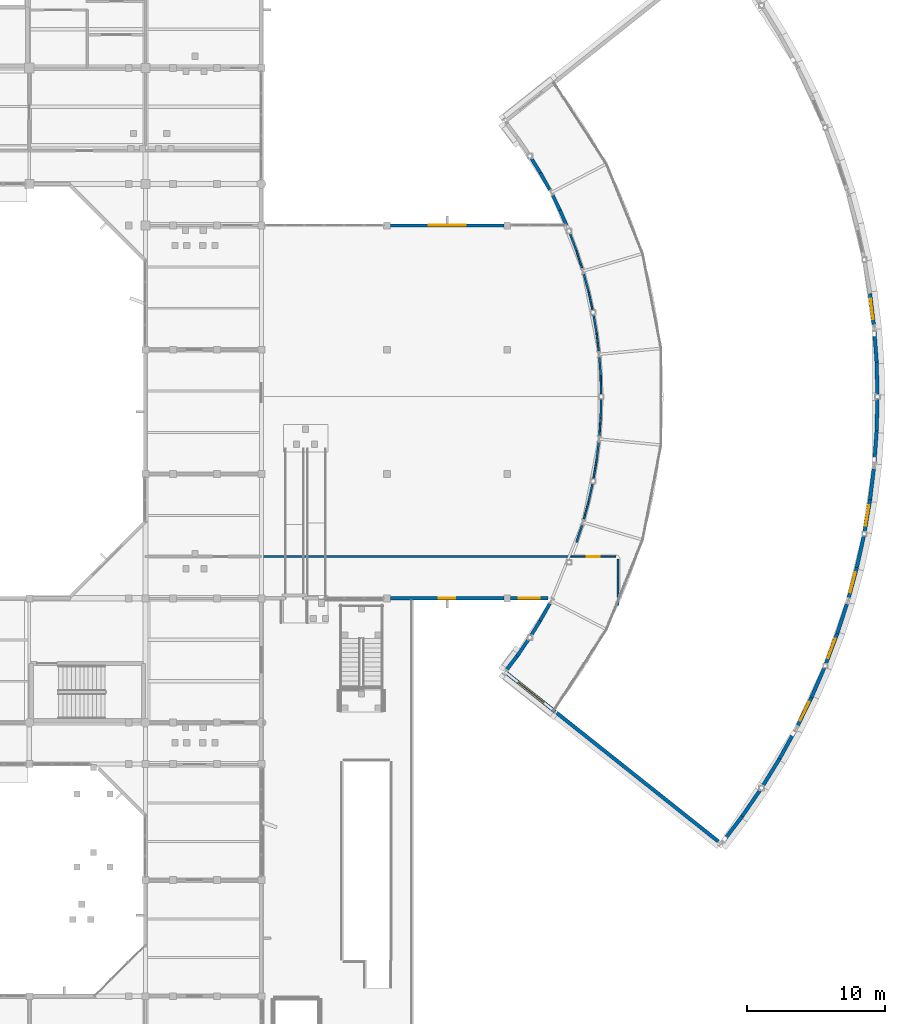
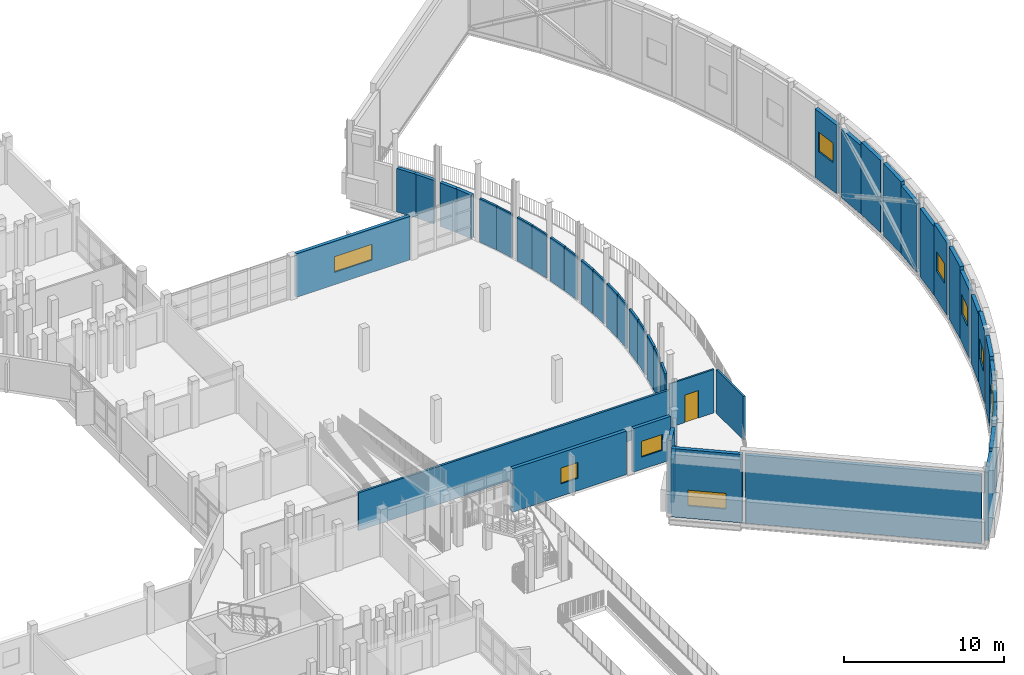
# One storey, part 72 of 104: 48 walls, 9 windows, 1 door, 10 openings.
"""IFC4 building model written with IfcOpenShell, lengths in metres."""

from ifc_helpers import new_model, si_unit, direction, frame, frame_2d, origin, place, context, subcontext, project, spatial, rectangle, extrude, material, layer, layer_set, type_object, element, fill, save


model = new_model("IFC4")

# Units and contexts
model_context = context("Model", 3, precision=1e-05, world=origin(), true_north=direction((0.0, 1.0)))
body_context = subcontext(model_context, "Body", "Model", "MODEL_VIEW")
ifc_project = project(units=[si_unit("LENGTHUNIT", "METRE"), si_unit("AREAUNIT", "SQUARE_METRE"), si_unit("VOLUMEUNIT", "CUBIC_METRE"), si_unit("PLANEANGLEUNIT", "RADIAN"), si_unit("MASSUNIT", "GRAM", prefix="KILO")], contexts=[model_context])

# Site, building, storey
site_placement = place(None, origin())
site = spatial("IfcSite", under=ifc_project, at=site_placement, CompositionType="ELEMENT")
building_placement = place(site_placement, origin())
building = spatial("IfcBuilding", under=site, at=building_placement, Name="Vanh Quang Courtyard School", CompositionType="ELEMENT")
storey_placement = place(building_placement, frame((0.0, 0.0, 4.199951171875)))
storey = spatial("IfcBuildingStorey", under=building, at=storey_placement, Name="L01", CompositionType="ELEMENT", Elevation=4.199951171875)

# Wall, opening, window
ifc_material_1 = material(Name="Precast concrete C40/50", Category="concrete")
ifc_layer_1 = layer(ifc_material_1, 0.239990234375)
ifc_layer_set_1 = layer_set([ifc_layer_1], Name="Precast concrete C40/50")
wall_type_1 = type_object("IfcWallType", Name="W-EXT-240", PredefinedType="SOLIDWALL", material=ifc_layer_set_1)
wall_1_placement = place(storey_placement, frame((128.748046875, 68.39990234375, 0.0), z_axis=(0.0, 0.0, 1.0), x_axis=(1.0, 0.0, 0.0)))
wall_1 = element("IfcWall", 1, at=wall_1_placement, inside=storey, type_object=wall_type_1, Name="Wall WE-03 (L01)", PredefinedType="SOLIDWALL", context=body_context, shape_type="SweptSolid", body=[
    extrude(rectangle(XDim=8.203857421875, YDim=0.239990234375, at=frame_2d((4.10205078125, 0.0))), origin(), (0.0, 0.0, 1.0), 3.320068359375),
])
opening_1_placement = place(wall_1_placement, frame((2.751953125, 0.0, 0.949951171875)))
opening_1 = element("IfcOpeningElement", 2, at=opening_1_placement, cuts=wall_1, Name="Opening WN-06", PredefinedType="OPENING", context=body_context, shape_type="SweptSolid", body=[
    extrude(rectangle(XDim=2.699951171875, YDim=1.199951171875, at=frame_2d((1.35009765625, 0.60009765625))), frame((0.0, 0.1298828125, 0.0), z_axis=(0.0, -1.0, 0.0), x_axis=(1.0, 0.0, 0.0)), (0.0, 0.0, 1.0), 0.260009765625),
])
ifc_material_2 = material(Name="Anodised aluminium and low-E double glazing", Category="aluminium")
window_type_1 = type_object("IfcWindowType", Name="WIN-TYP-06", PartitioningType="SINGLE_PANEL", PredefinedType="WINDOW", material=ifc_material_2)
window_1_placement = place(opening_1_placement, origin())
window_1 = element("IfcWindow", 3, at=window_1_placement, inside=storey, type_object=window_type_1, Name="Window WN-06 (L01)", OverallHeight=1.199951171875, OverallWidth=2.699951171875, PartitioningType="SINGLE_PANEL", PredefinedType="WINDOW", context=body_context, shape_type="SweptSolid", body=[
    extrude(rectangle(XDim=2.699951171875, YDim=1.199951171875, at=frame_2d((1.35009765625, 0.60009765625))), frame((0.0, 0.030029296875, 0.0), z_axis=(0.0, -1.0, 0.0), x_axis=(1.0, 0.0, 0.0)), (0.0, 0.0, 1.0), 0.06005859375),
])
fill(opening_1, window_1)

# Walls
wall_2_placement = place(storey_placement, frame((141.49169921875, 68.39990234375, 0.0), z_axis=(0.0, 0.0, 1.0), x_axis=(-0.396823605791, 0.917894888256, 0.0)))
element("IfcWall", 4, at=wall_2_placement, inside=storey, type_object=wall_type_1, Name="Wall WE-03 (L01)", PredefinedType="SOLIDWALL", context=body_context, shape_type="SweptSolid", body=[
    extrude(rectangle(XDim=1.20654296875, YDim=0.239990234375, at=frame_2d((0.603271484375, 0.0))), origin(), (0.0, 0.0, 1.0), 3.320068359375),
])
for number, where, z_axis, x_axis, name in (
    (5, (141.11328125, 69.289306640625, 0.0), (0.0, 0.0, 1.0), (-0.440367841155, 0.897817444961, 0.0), "Wall WE-03 (L01)"),
    (6, (140.27490234375, 70.974365234375, 0.0), (0.0, 0.0, 1.0), (-0.482928309872, 0.875659892609, 0.0), "Wall WE-03 (L01)"),
):
    element("IfcWall", number, at=place(storey_placement, frame(where, z_axis=z_axis, x_axis=x_axis)), inside=storey, type_object=wall_type_1, Name=name, PredefinedType="SOLIDWALL", context=body_context, shape_type="SweptSolid", body=[
        extrude(rectangle(XDim=1.42919921875, YDim=0.239990234375, at=frame_2d((0.714599609375, 0.0))), origin(), (0.0, 0.0, 1.0), 3.320068359375),
    ])
for number, where, z_axis, x_axis, name in (
    (7, (139.70556640625, 72.0185546875, 0.0), (0.0, 0.0, 1.0), (-0.524263090117, 0.851556347132, 0.0), "Wall WE-03 (L01)"),
    (8, (137.902587890625, 37.205078125, 0.0), (0.0, 0.0, 1.0), (0.56467208792, 0.825315353743, 0.0), "Wall WE-03 (L01)"),
    (9, (138.9296875, 38.72119140625, 0.0), (0.0, 0.0, 1.0), (0.524263090117, 0.851556347132, 0.0), "Wall WE-03 (L01)"),
):
    element("IfcWall", number, at=place(storey_placement, frame(where, z_axis=z_axis, x_axis=x_axis)), inside=storey, type_object=wall_type_1, Name=name, PredefinedType="SOLIDWALL", context=body_context, shape_type="SweptSolid", body=[
        extrude(rectangle(XDim=1.47998046875, YDim=0.239990234375, at=frame_2d((0.739990234375, 0.0))), origin(), (0.0, 0.0, 1.0), 3.320068359375),
    ])
wall_3_placement = place(storey_placement, frame((139.584716796875, 39.774169921875, 0.0), z_axis=(0.0, 0.0, 1.0), x_axis=(0.482928309872, 0.875659892609, 0.0)))
element("IfcWall", 10, at=wall_3_placement, inside=storey, type_object=wall_type_1, Name="Wall WE-03 (L01)", PredefinedType="SOLIDWALL", context=body_context, shape_type="SweptSolid", body=[
    extrude(rectangle(XDim=1.42919921875, YDim=0.239990234375, at=frame_2d((0.714599609375, 0.0))), origin(), (0.0, 0.0, 1.0), 3.320068359375),
])

# Wall, opening, window
wall_4_placement = place(storey_placement, frame((140.1494140625, 41.39990234375, 0.0), z_axis=(0.0, 0.0, 1.0), x_axis=(-1.0, 0.0, 0.0)))
wall_4 = element("IfcWall", 11, at=wall_4_placement, inside=storey, type_object=wall_type_1, Name="Wall WE-03 (L01)", PredefinedType="SOLIDWALL", context=body_context, shape_type="SweptSolid", body=[
    extrude(rectangle(XDim=2.701416015625, YDim=0.239990234375, at=frame_2d((1.3505859375, 0.0))), origin(), (0.0, 0.0, 1.0), 3.320068359375),
])
opening_2_placement = place(wall_4_placement, frame((0.6005859375, 0.0, 0.949951171875)))
opening_2 = element("IfcOpeningElement", 12, at=opening_2_placement, cuts=wall_4, Name="Opening WN-02", PredefinedType="OPENING", context=body_context, shape_type="SweptSolid", body=[
    extrude(rectangle(XDim=1.5, YDim=1.199951171875, at=frame_2d((0.75, 0.60009765625))), frame((0.0, 0.1298828125, 0.0), z_axis=(0.0, -1.0, 0.0), x_axis=(1.0, 0.0, 0.0)), (0.0, 0.0, 1.0), 0.260009765625),
])
window_type_2 = type_object("IfcWindowType", Name="WIN-TYP-02", PartitioningType="SINGLE_PANEL", PredefinedType="WINDOW", material=ifc_material_2)
window_2_placement = place(opening_2_placement, origin())
window_2 = element("IfcWindow", 13, at=window_2_placement, inside=storey, type_object=window_type_2, Name="Window WN-02 (L01)", OverallHeight=1.199951171875, OverallWidth=1.5, PartitioningType="SINGLE_PANEL", PredefinedType="WINDOW", context=body_context, shape_type="SweptSolid", body=[
    extrude(rectangle(XDim=1.5, YDim=1.199951171875, at=frame_2d((0.75, 0.60009765625))), frame((0.0, 0.030029296875, 0.0), z_axis=(0.0, -1.0, 0.0), x_axis=(1.0, 0.0, 0.0)), (0.0, 0.0, 1.0), 0.06005859375),
])
fill(opening_2, window_2)

wall_5_placement = place(storey_placement, frame((136.951904296875, 41.39990234375, 0.0), z_axis=(0.0, 0.0, 1.0), x_axis=(-1.0, 0.0, 0.0)))
wall_5 = element("IfcWall", 14, at=wall_5_placement, inside=storey, type_object=wall_type_1, Name="Wall WE-03 (L01)", PredefinedType="SOLIDWALL", context=body_context, shape_type="SweptSolid", body=[
    extrude(rectangle(XDim=8.203857421875, YDim=0.239990234375, at=frame_2d((4.10205078125, 0.0))), origin(), (0.0, 0.0, 1.0), 3.320068359375),
])
opening_3_placement = place(wall_5_placement, frame((3.501953125, 0.0, 0.949951171875)))
opening_3 = element("IfcOpeningElement", 15, at=opening_3_placement, cuts=wall_5, Name="Opening WN-01", PredefinedType="OPENING", context=body_context, shape_type="SweptSolid", body=[
    extrude(rectangle(XDim=1.199951171875, YDim=1.199951171875, at=frame_2d((0.60009765625, 0.60009765625))), frame((0.0, 0.1298828125, 0.0), z_axis=(0.0, -1.0, 0.0), x_axis=(1.0, 0.0, 0.0)), (0.0, 0.0, 1.0), 0.260009765625),
])
window_type_3 = type_object("IfcWindowType", Name="WIN-TYP-01", PartitioningType="SINGLE_PANEL", PredefinedType="WINDOW", material=ifc_material_2)
window_3_placement = place(opening_3_placement, origin())
window_3 = element("IfcWindow", 16, at=window_3_placement, inside=storey, type_object=window_type_3, Name="Window WN-01 (L01)", OverallHeight=1.199951171875, OverallWidth=1.199951171875, PartitioningType="SINGLE_PANEL", PredefinedType="WINDOW", context=body_context, shape_type="SweptSolid", body=[
    extrude(rectangle(XDim=1.199951171875, YDim=1.199951171875, at=frame_2d((0.60009765625, 0.60009765625))), frame((0.0, 0.030029296875, 0.0), z_axis=(0.0, -1.0, 0.0), x_axis=(1.0, 0.0, 0.0)), (0.0, 0.0, 1.0), 0.06005859375),
])
fill(opening_3, window_3)

ifc_layer_2 = layer(ifc_material_1, 0.260009765625)
ifc_layer_set_2 = layer_set([ifc_layer_2], Name="Precast concrete C40/50")
wall_type_2 = type_object("IfcWallType", Name="W-EXT-260", PredefinedType="SOLIDWALL", material=ifc_layer_set_2)
wall_6_placement = place(storey_placement, frame((140.6591796875, 33.20361328125, 0.0), z_axis=(0.0, 0.0, 1.0), x_axis=(-0.782644574643, 0.622468850452, 0.0)))
wall_6 = element("IfcWall", 17, at=wall_6_placement, inside=storey, type_object=wall_type_2, Name="Wall WE-02 (L01)", PredefinedType="SOLIDWALL", context=body_context, shape_type="SweptSolid", body=[
    extrude(rectangle(XDim=4.471923828125, YDim=0.260009765625, at=frame_2d((2.23583984375, 0.0))), origin(), (0.0, 0.0, 1.0), 5.219970703125),
])
opening_4_placement = place(wall_6_placement, frame((1.035888671875, 0.0, 0.949951171875)))
opening_4 = element("IfcOpeningElement", 18, at=opening_4_placement, cuts=wall_6, Name="Opening WN-05", PredefinedType="OPENING", context=body_context, shape_type="SweptSolid", body=[
    extrude(rectangle(XDim=2.39990234375, YDim=1.199951171875, at=frame_2d((1.199951171875, 0.60009765625))), frame((0.0, 0.14013671875, 0.0), z_axis=(0.0, -1.0, 0.0), x_axis=(1.0, 0.0, 0.0)), (0.0, 0.0, 1.0), 0.280029296875),
])
window_type_4 = type_object("IfcWindowType", Name="WIN-TYP-05", PartitioningType="SINGLE_PANEL", PredefinedType="WINDOW", material=ifc_material_2)
window_4_placement = place(opening_4_placement, origin())
window_4 = element("IfcWindow", 19, at=window_4_placement, inside=storey, type_object=window_type_4, Name="Window WN-05 (L01)", OverallHeight=1.199951171875, OverallWidth=2.39990234375, PartitioningType="SINGLE_PANEL", PredefinedType="WINDOW", context=body_context, shape_type="SweptSolid", body=[
    extrude(rectangle(XDim=2.39990234375, YDim=1.199951171875, at=frame_2d((1.199951171875, 0.60009765625))), frame((0.0, 0.030029296875, 0.0), z_axis=(0.0, -1.0, 0.0), x_axis=(1.0, 0.0, 0.0)), (0.0, 0.0, 1.0), 0.06005859375),
])
fill(opening_4, window_4)

# Walls
wall_7_placement = place(storey_placement, frame((137.18017578125, 36.260009765625, 0.0), z_axis=(0.0, 0.0, 1.0), x_axis=(0.603492572952, 0.797368618891, 0.0)))
element("IfcWall", 20, at=wall_7_placement, inside=storey, type_object=wall_type_2, Name="Wall WE-02 (L01)", PredefinedType="SOLIDWALL", context=body_context, shape_type="SweptSolid", body=[
    extrude(rectangle(XDim=1.42919921875, YDim=0.260009765625, at=frame_2d((0.714599609375, 0.0))), origin(), (0.0, 0.0, 1.0), 5.56005859375),
])
wall_8_placement = place(storey_placement, frame((152.844482421875, 23.82568359375, 0.0), z_axis=(0.0, 0.0, 1.0), x_axis=(0.603554595326, 0.797321673142, 0.0)))
element("IfcWall", 21, at=wall_8_placement, inside=storey, type_object=wall_type_2, Name="Wall WE-02 (L01)", PredefinedType="SOLIDWALL", context=body_context, shape_type="SweptSolid", body=[
    extrude(rectangle(XDim=2.2490234375, YDim=0.260009765625, at=frame_2d((1.12451171875, 0.0))), origin(), (0.0, 0.0, 1.0), 5.215087890625),
])
wall_9_placement = place(storey_placement, frame((154.201904296875, 25.618896484375, 0.0), z_axis=(0.0, 0.0, 1.0), x_axis=(0.564593369165, 0.825369206777, 0.0)))
element("IfcWall", 22, at=wall_9_placement, inside=storey, type_object=wall_type_2, Name="Wall WE-02 (L01)", PredefinedType="SOLIDWALL", context=body_context, shape_type="SweptSolid", body=[
    extrude(rectangle(XDim=2.31982421875, YDim=0.260009765625, at=frame_2d((1.159912109375, 0.0))), origin(), (0.0, 0.0, 1.0), 5.4951171875),
])
wall_10_placement = place(storey_placement, frame((155.703125, 27.82861328125, 0.0), z_axis=(0.0, 0.0, 1.0), x_axis=(0.524367532109, 0.851492038289, 0.0)))
element("IfcWall", 23, at=wall_10_placement, inside=storey, type_object=wall_type_2, Name="Wall WE-02 (L01)", PredefinedType="SOLIDWALL", context=body_context, shape_type="SweptSolid", body=[
    extrude(rectangle(XDim=2.319580078125, YDim=0.260009765625, at=frame_2d((1.15966796875, 0.0))), origin(), (0.0, 0.0, 1.0), 5.4951171875),
])
wall_11_placement = place(storey_placement, frame((156.91943359375, 29.8037109375, 0.0), z_axis=(0.0, 0.0, 1.0), x_axis=(0.482930989032, 0.875658415041, 0.0)))
element("IfcWall", 24, at=wall_11_placement, inside=storey, type_object=wall_type_2, Name="Wall WE-02 (L01)", PredefinedType="SOLIDWALL", context=body_context, shape_type="SweptSolid", body=[
    extrude(rectangle(XDim=2.2490234375, YDim=0.260009765625, at=frame_2d((1.12451171875, 0.0))), origin(), (0.0, 0.0, 1.0), 5.215087890625),
])

# Wall, opening, window
wall_12_placement = place(storey_placement, frame((158.233154296875, 32.21044921875, 0.0), z_axis=(0.0, 0.0, 1.0), x_axis=(0.440296219123, 0.897852571097, 0.0)))
wall_12 = element("IfcWall", 25, at=wall_12_placement, inside=storey, type_object=wall_type_2, Name="Wall WE-02 (L01)", PredefinedType="SOLIDWALL", context=body_context, shape_type="SweptSolid", body=[
    extrude(rectangle(XDim=2.2490234375, YDim=0.260009765625, at=frame_2d((1.12451171875, 0.0))), origin(), (0.0, 0.0, 1.0), 5.215087890625),
])
opening_5_placement = place(wall_12_placement, frame((0.37451171875, 0.0, 2.14990234375)))
opening_5 = element("IfcOpeningElement", 26, at=opening_5_placement, cuts=wall_12, Name="Opening WN-11", PredefinedType="OPENING", context=body_context, shape_type="SweptSolid", body=[
    extrude(rectangle(XDim=1.5, YDim=1.5, at=frame_2d((0.75, 0.75))), frame((0.0, 0.14013671875, 0.0), z_axis=(0.0, -1.0, 0.0), x_axis=(1.0, 0.0, 0.0)), (0.0, 0.0, 1.0), 0.280029296875),
])
window_type_5 = type_object("IfcWindowType", Name="WIN-TYP-11", PartitioningType="SINGLE_PANEL", PredefinedType="WINDOW", material=ifc_material_2)
window_5_placement = place(opening_5_placement, origin())
window_5 = element("IfcWindow", 27, at=window_5_placement, inside=storey, type_object=window_type_5, Name="Window WN-11 (L01)", OverallHeight=1.5, OverallWidth=1.5, PartitioningType="SINGLE_PANEL", PredefinedType="WINDOW", context=body_context, shape_type="SweptSolid", body=[
    extrude(rectangle(XDim=1.5, YDim=1.5, at=frame_2d((0.75, 0.75))), frame((0.0, 0.030029296875, 0.0), z_axis=(0.0, -1.0, 0.0), x_axis=(1.0, 0.0, 0.0)), (0.0, 0.0, 1.0), 0.06005859375),
])
fill(opening_5, window_5)

# Wall
wall_13_placement = place(storey_placement, frame((159.223388671875, 34.229736328125, 0.0), z_axis=(0.0, 0.0, 1.0), x_axis=(0.396762576076, 0.917921270167, 0.0)))
element("IfcWall", 28, at=wall_13_placement, inside=storey, type_object=wall_type_2, Name="Wall WE-02 (L01)", PredefinedType="SOLIDWALL", context=body_context, shape_type="SweptSolid", body=[
    extrude(rectangle(XDim=2.31982421875, YDim=0.260009765625, at=frame_2d((1.159912109375, 0.0))), origin(), (0.0, 0.0, 1.0), 5.4951171875),
])

# Wall, opening, window
wall_14_placement = place(storey_placement, frame((160.275390625, 36.68505859375, 0.0), z_axis=(0.0, 0.0, 1.0), x_axis=(0.352241918136, 0.935908986551, 0.0)))
wall_14 = element("IfcWall", 29, at=wall_14_placement, inside=storey, type_object=wall_type_2, Name="Wall WE-02 (L01)", PredefinedType="SOLIDWALL", context=body_context, shape_type="SweptSolid", body=[
    extrude(rectangle(XDim=2.31982421875, YDim=0.260009765625, at=frame_2d((1.159912109375, 0.0))), origin(), (0.0, 0.0, 1.0), 5.4951171875),
])
opening_6_placement = place(wall_14_placement, frame((0.409912109375, 0.0, 2.14990234375)))
opening_6 = element("IfcOpeningElement", 30, at=opening_6_placement, cuts=wall_14, Name="Opening WN-11", PredefinedType="OPENING", context=body_context, shape_type="SweptSolid", body=[
    extrude(rectangle(XDim=1.5, YDim=1.5, at=frame_2d((0.75, 0.75))), frame((0.0, 0.14013671875, 0.0), z_axis=(0.0, -1.0, 0.0), x_axis=(1.0, 0.0, 0.0)), (0.0, 0.0, 1.0), 0.280029296875),
])
window_6_placement = place(opening_6_placement, origin())
window_6 = element("IfcWindow", 31, at=window_6_placement, inside=storey, type_object=window_type_5, Name="Window WN-11 (L01)", OverallHeight=1.5, OverallWidth=1.5, PartitioningType="SINGLE_PANEL", PredefinedType="WINDOW", context=body_context, shape_type="SweptSolid", body=[
    extrude(rectangle(XDim=1.5, YDim=1.5, at=frame_2d((0.75, 0.75))), frame((0.0, 0.030029296875, 0.0), z_axis=(0.0, -1.0, 0.0), x_axis=(1.0, 0.0, 0.0)), (0.0, 0.0, 1.0), 0.06005859375),
])
fill(opening_6, window_6)

# Wall
wall_15_placement = place(storey_placement, frame((161.092529296875, 38.856201171875, 0.0), z_axis=(0.0, 0.0, 1.0), x_axis=(0.306996436397, 0.951710664036, 0.0)))
element("IfcWall", 32, at=wall_15_placement, inside=storey, type_object=wall_type_2, Name="Wall WE-02 (L01)", PredefinedType="SOLIDWALL", context=body_context, shape_type="SweptSolid", body=[
    extrude(rectangle(XDim=2.2490234375, YDim=0.260009765625, at=frame_2d((1.12451171875, 0.0))), origin(), (0.0, 0.0, 1.0), 5.215087890625),
])

# Wall, opening, window
wall_16_placement = place(storey_placement, frame((161.9228515625, 41.46923828125, 0.0), z_axis=(0.0, 0.0, 1.0), x_axis=(0.26095823884, 0.965350090683, 0.0)))
wall_16 = element("IfcWall", 33, at=wall_16_placement, inside=storey, type_object=wall_type_2, Name="Wall WE-02 (L01)", PredefinedType="SOLIDWALL", context=body_context, shape_type="SweptSolid", body=[
    extrude(rectangle(XDim=2.2490234375, YDim=0.260009765625, at=frame_2d((1.12451171875, 0.0))), origin(), (0.0, 0.0, 1.0), 5.215087890625),
])
opening_7_placement = place(wall_16_placement, frame((0.37451171875, 0.0, 2.14990234375)))
opening_7 = element("IfcOpeningElement", 34, at=opening_7_placement, cuts=wall_16, Name="Opening WN-11", PredefinedType="OPENING", context=body_context, shape_type="SweptSolid", body=[
    extrude(rectangle(XDim=1.5, YDim=1.5, at=frame_2d((0.75, 0.75))), frame((0.0, 0.14013671875, 0.0), z_axis=(0.0, -1.0, 0.0), x_axis=(1.0, 0.0, 0.0)), (0.0, 0.0, 1.0), 0.280029296875),
])
window_7_placement = place(opening_7_placement, origin())
window_7 = element("IfcWindow", 35, at=window_7_placement, inside=storey, type_object=window_type_5, Name="Window WN-11 (L01)", OverallHeight=1.5, OverallWidth=1.5, PartitioningType="SINGLE_PANEL", PredefinedType="WINDOW", context=body_context, shape_type="SweptSolid", body=[
    extrude(rectangle(XDim=1.5, YDim=1.5, at=frame_2d((0.75, 0.75))), frame((0.0, 0.030029296875, 0.0), z_axis=(0.0, -1.0, 0.0), x_axis=(1.0, 0.0, 0.0)), (0.0, 0.0, 1.0), 0.06005859375),
])
fill(opening_7, window_7)

# Wall
wall_17_placement = place(storey_placement, frame((162.509765625, 43.640380859375, 0.0), z_axis=(0.0, 0.0, 1.0), x_axis=(0.214277499547, 0.976772825783, 0.0)))
element("IfcWall", 36, at=wall_17_placement, inside=storey, type_object=wall_type_2, Name="Wall WE-02 (L01)", PredefinedType="SOLIDWALL", context=body_context, shape_type="SweptSolid", body=[
    extrude(rectangle(XDim=2.31982421875, YDim=0.260009765625, at=frame_2d((1.159912109375, 0.0))), origin(), (0.0, 0.0, 1.0), 5.4951171875),
])

# Wall, opening, window
wall_18_placement = place(storey_placement, frame((163.073974609375, 46.251220703125, 0.0), z_axis=(0.0, 0.0, 1.0), x_axis=(0.167231340642, 0.985917683535, 0.0)))
wall_18 = element("IfcWall", 37, at=wall_18_placement, inside=storey, type_object=wall_type_2, Name="Wall WE-02 (L01)", PredefinedType="SOLIDWALL", context=body_context, shape_type="SweptSolid", body=[
    extrude(rectangle(XDim=2.31982421875, YDim=0.260009765625, at=frame_2d((1.159912109375, 0.0))), origin(), (0.0, 0.0, 1.0), 5.4951171875),
])
opening_8_placement = place(wall_18_placement, frame((0.409912109375, 0.0, 2.14990234375)))
opening_8 = element("IfcOpeningElement", 38, at=opening_8_placement, cuts=wall_18, Name="Opening WN-11", PredefinedType="OPENING", context=body_context, shape_type="SweptSolid", body=[
    extrude(rectangle(XDim=1.5, YDim=1.5, at=frame_2d((0.75, 0.75))), frame((0.0, 0.14013671875, 0.0), z_axis=(0.0, -1.0, 0.0), x_axis=(1.0, 0.0, 0.0)), (0.0, 0.0, 1.0), 0.280029296875),
])
window_8_placement = place(opening_8_placement, origin())
window_8 = element("IfcWindow", 39, at=window_8_placement, inside=storey, type_object=window_type_5, Name="Window WN-11 (L01)", OverallHeight=1.5, OverallWidth=1.5, PartitioningType="SINGLE_PANEL", PredefinedType="WINDOW", context=body_context, shape_type="SweptSolid", body=[
    extrude(rectangle(XDim=1.5, YDim=1.5, at=frame_2d((0.75, 0.75))), frame((0.0, 0.030029296875, 0.0), z_axis=(0.0, -1.0, 0.0), x_axis=(1.0, 0.0, 0.0)), (0.0, 0.0, 1.0), 0.06005859375),
])
fill(opening_8, window_8)

# Walls
for number, where, z_axis, x_axis, name in (
    (40, (163.4619140625, 48.538330078125, 0.0), (0.0, 0.0, 1.0), (0.119731614261, 0.992806295582, 0.0), "Wall WE-02 (L01)"),
    (41, (163.7783203125, 51.261962890625, 0.0), (0.0, 0.0, 1.0), (0.071972202998, 0.997406638235, 0.0), "Wall WE-02 (L01)"),
):
    element("IfcWall", number, at=place(storey_placement, frame(where, z_axis=z_axis, x_axis=x_axis)), inside=storey, type_object=wall_type_2, Name=name, PredefinedType="SOLIDWALL", context=body_context, shape_type="SweptSolid", body=[
        extrude(rectangle(XDim=2.2490234375, YDim=0.260009765625, at=frame_2d((1.12451171875, 0.0))), origin(), (0.0, 0.0, 1.0), 5.215087890625),
    ])
for number, where, z_axis, x_axis, name in (
    (42, (163.940185546875, 53.505126953125, 0.0), (0.0, 0.0, 1.0), (0.023995615385, 0.999712063768, 0.0), "Wall WE-02 (L01)"),
    (43, (163.995849609375, 56.17578125, 0.0), (0.0, 0.0, 1.0), (-0.023995615385, 0.999712063768, 0.0), "Wall WE-02 (L01)"),
):
    element("IfcWall", number, at=place(storey_placement, frame(where, z_axis=z_axis, x_axis=x_axis)), inside=storey, type_object=wall_type_2, Name=name, PredefinedType="SOLIDWALL", context=body_context, shape_type="SweptSolid", body=[
        extrude(rectangle(XDim=2.31982421875, YDim=0.260009765625, at=frame_2d((1.159912109375, 0.0))), origin(), (0.0, 0.0, 1.0), 5.4951171875),
    ])
wall_19_placement = place(storey_placement, frame((163.940185546875, 58.494873046875, 0.0), z_axis=(0.0, 0.0, 1.0), x_axis=(-0.071972202998, 0.997406638235, 0.0)))
element("IfcWall", 44, at=wall_19_placement, inside=storey, type_object=wall_type_2, Name="Wall WE-02 (L01)", PredefinedType="SOLIDWALL", context=body_context, shape_type="SweptSolid", body=[
    extrude(rectangle(XDim=2.2490234375, YDim=0.260009765625, at=frame_2d((1.12451171875, 0.0))), origin(), (0.0, 0.0, 1.0), 5.215087890625),
])

# Wall, opening, window
wall_20_placement = place(storey_placement, frame((163.731201171875, 61.228759765625, 0.0), z_axis=(0.0, 0.0, 1.0), x_axis=(-0.119731614261, 0.992806295582, 0.0)))
wall_20 = element("IfcWall", 45, at=wall_20_placement, inside=storey, type_object=wall_type_2, Name="Wall WE-02 (L01)", PredefinedType="SOLIDWALL", context=body_context, shape_type="SweptSolid", body=[
    extrude(rectangle(XDim=2.2490234375, YDim=0.260009765625, at=frame_2d((1.12451171875, 0.0))), origin(), (0.0, 0.0, 1.0), 5.215087890625),
])
opening_9_placement = place(wall_20_placement, frame((0.37451171875, 0.0, 2.14990234375)))
opening_9 = element("IfcOpeningElement", 46, at=opening_9_placement, cuts=wall_20, Name="Opening WN-11", PredefinedType="OPENING", context=body_context, shape_type="SweptSolid", body=[
    extrude(rectangle(XDim=1.5, YDim=1.5, at=frame_2d((0.75, 0.75))), frame((0.0, 0.14013671875, 0.0), z_axis=(0.0, -1.0, 0.0), x_axis=(1.0, 0.0, 0.0)), (0.0, 0.0, 1.0), 0.280029296875),
])
window_9_placement = place(opening_9_placement, origin())
window_9 = element("IfcWindow", 47, at=window_9_placement, inside=storey, type_object=window_type_5, Name="Window WN-11 (L01)", OverallHeight=1.5, OverallWidth=1.5, PartitioningType="SINGLE_PANEL", PredefinedType="WINDOW", context=body_context, shape_type="SweptSolid", body=[
    extrude(rectangle(XDim=1.5, YDim=1.5, at=frame_2d((0.75, 0.75))), frame((0.0, 0.030029296875, 0.0), z_axis=(0.0, -1.0, 0.0), x_axis=(1.0, 0.0, 0.0)), (0.0, 0.0, 1.0), 0.06005859375),
])
fill(opening_9, window_9)

# Wall
wall_21_placement = place(storey_placement, frame((140.7841796875, 33.10400390625, 0.0), z_axis=(0.0, 0.0, 1.0), x_axis=(0.782608291563, -0.622514467283, 0.0)))
element("IfcWall", 48, at=wall_21_placement, inside=storey, type_object=wall_type_2, Name="Wall WE-02 (L01)", PredefinedType="SOLIDWALL", context=body_context, shape_type="SweptSolid", body=[
    extrude(rectangle(XDim=14.940185546875, YDim=0.260009765625, at=frame_2d((7.47021484375, 0.0))), origin(), (0.0, 0.0, 1.0), 5.199951171875),
])

# Wall, opening, door
ifc_material_3 = material(Name="Acoustic gypsum stud partition", Category="gypsum")
ifc_layer_3 = layer(ifc_material_3, 0.1201171875)
ifc_layer_set_3 = layer_set([ifc_layer_3], Name="Acoustic gypsum stud partition")
wall_type_3 = type_object("IfcWallType", Name="W-PART-120", PredefinedType="PARTITIONING", material=ifc_layer_set_3)
wall_22_placement = place(storey_placement, frame((145.0537109375, 44.419921875, 0.0), z_axis=(0.0, 0.0, 1.0), x_axis=(-1.0, 0.0, 0.0)))
wall_22 = element("IfcWall", 49, at=wall_22_placement, inside=storey, type_object=wall_type_3, Name="Wall W-PRT2 (L01)", PredefinedType="PARTITIONING", context=body_context, shape_type="SweptSolid", body=[
    extrude(rectangle(XDim=3.23046875, YDim=0.1201171875, at=frame_2d((1.615234375, 0.0))), origin(), (0.0, 0.0, 1.0), 3.320068359375),
])
opening_10_placement = place(wall_22_placement, frame((1.14013671875, 0.0, 0.0)))
opening_10 = element("IfcOpeningElement", 50, at=opening_10_placement, cuts=wall_22, Name="Opening L01-D053", PredefinedType="OPENING", context=body_context, shape_type="SweptSolid", body=[
    extrude(rectangle(XDim=0.949951171875, YDim=2.10009765625, at=frame_2d((0.47509765625, 1.050048828125))), frame((0.0, 0.070068359375, 0.0), z_axis=(0.0, -1.0, 0.0), x_axis=(1.0, 0.0, 0.0)), (0.0, 0.0, 1.0), 0.14013671875),
])
ifc_material_4 = material(Name="Solid-core hardwood acoustic door", Category="wood")
door_type = type_object("IfcDoorType", Name="IDR-CLS-0950x2100", OperationType="NOTDEFINED", PredefinedType="DOOR", material=ifc_material_4)
door_placement = place(opening_10_placement, origin())
door = element("IfcDoor", 51, at=door_placement, inside=storey, type_object=door_type, Name="Door L01-D053 (L01)", OperationType="SINGLE_SWING_RIGHT", OverallHeight=2.10009765625, OverallWidth=0.949951171875, PredefinedType="DOOR", context=body_context, shape_type="SweptSolid", body=[
    extrude(rectangle(XDim=0.949951171875, YDim=2.10009765625, at=frame_2d((0.47509765625, 1.050048828125))), frame((0.0, 0.02490234375, 0.0), z_axis=(0.0, -1.0, 0.0), x_axis=(1.0, 0.0, 0.0)), (0.0, 0.0, 1.0), 0.050048828125),
])
fill(opening_10, door)

# Walls
wall_23_placement = place(storey_placement, frame((142.7412109375, 47.130126953125, 0.0), z_axis=(0.0, 0.0, 1.0), x_axis=(0.260965526055, 0.965348120737, 0.0)))
element("IfcWall", 52, at=wall_23_placement, inside=storey, type_object=wall_type_3, Name="Wall W-PRT2 (L01)", PredefinedType="PARTITIONING", context=body_context, shape_type="SweptSolid", body=[
    extrude(rectangle(XDim=1.305908203125, YDim=0.1201171875, at=frame_2d((0.65283203125, 0.0))), origin(), (0.0, 0.0, 1.0), 3.320068359375),
])
wall_24_placement = place(storey_placement, frame((143.44140625, 50.0673828125, 0.0), z_axis=(0.0, 0.0, 1.0), x_axis=(0.167069876256, 0.98594505752, 0.0)))
element("IfcWall", 53, at=wall_24_placement, inside=storey, type_object=wall_type_3, Name="Wall W-PRT2 (L01)", PredefinedType="PARTITIONING", context=body_context, shape_type="SweptSolid", body=[
    extrude(rectangle(XDim=1.36328125, YDim=0.1201171875, at=frame_2d((0.681640625, 0.0))), origin(), (0.0, 0.0, 1.0), 3.320068359375),
])
wall_25_placement = place(storey_placement, frame((143.868896484375, 53.15869140625, 0.0), z_axis=(0.0, 0.0, 1.0), x_axis=(0.071977769647, 0.997406236534, 0.0)))
element("IfcWall", 54, at=wall_25_placement, inside=storey, type_object=wall_type_3, Name="Wall W-PRT2 (L01)", PredefinedType="PARTITIONING", context=body_context, shape_type="SweptSolid", body=[
    extrude(rectangle(XDim=1.305908203125, YDim=0.1201171875, at=frame_2d((0.65283203125, 0.0))), origin(), (0.0, 0.0, 1.0), 3.320068359375),
])
wall_26_placement = place(storey_placement, frame((143.99560546875, 56.17578125, 0.0), z_axis=(0.0, 0.0, 1.0), x_axis=(-0.02393553484, 0.999713504046, 0.0)))
element("IfcWall", 55, at=wall_26_placement, inside=storey, type_object=wall_type_3, Name="Wall W-PRT2 (L01)", PredefinedType="PARTITIONING", context=body_context, shape_type="SweptSolid", body=[
    extrude(rectangle(XDim=1.356689453125, YDim=0.1201171875, at=frame_2d((0.67822265625, 0.0))), origin(), (0.0, 0.0, 1.0), 3.320068359375),
])
wall_27_placement = place(storey_placement, frame((143.825439453125, 59.2919921875, 0.0), z_axis=(0.0, 0.0, 1.0), x_axis=(-0.119661291026, 0.992814773979, 0.0)))
element("IfcWall", 56, at=wall_27_placement, inside=storey, type_object=wall_type_3, Name="Wall W-PRT2 (L01)", PredefinedType="PARTITIONING", context=body_context, shape_type="SweptSolid", body=[
    extrude(rectangle(XDim=1.3056640625, YDim=0.1201171875, at=frame_2d((0.65283203125, 0.0))), origin(), (0.0, 0.0, 1.0), 3.320068359375),
])
wall_28_placement = place(storey_placement, frame((143.374267578125, 62.277587890625, 0.0), z_axis=(0.0, 0.0, 1.0), x_axis=(-0.214369789622, 0.97675257527, 0.0)))
element("IfcWall", 57, at=wall_28_placement, inside=storey, type_object=wall_type_3, Name="Wall W-PRT2 (L01)", PredefinedType="PARTITIONING", context=body_context, shape_type="SweptSolid", body=[
    extrude(rectangle(XDim=1.36328125, YDim=0.1201171875, at=frame_2d((0.681640625, 0.0))), origin(), (0.0, 0.0, 1.0), 3.320068359375),
])
wall_29_placement = place(storey_placement, frame((142.612548828125, 65.30419921875, 0.0), z_axis=(0.0, 0.0, 1.0), x_axis=(-0.306844339678, 0.951759712957, 0.0)))
element("IfcWall", 58, at=wall_29_placement, inside=storey, type_object=wall_type_3, Name="Wall W-PRT2 (L01)", PredefinedType="PARTITIONING", context=body_context, shape_type="SweptSolid", body=[
    extrude(rectangle(XDim=1.3056640625, YDim=0.1201171875, at=frame_2d((0.65283203125, 0.0))), origin(), (0.0, 0.0, 1.0), 3.320068359375),
])
ifc_material_5 = material(Name="Autoclaved aerated masonry blockwork", Category="masonry")
ifc_layer_4 = layer(ifc_material_5, 0.14990234375)
ifc_layer_set_4 = layer_set([ifc_layer_4], Name="Autoclaved aerated masonry blockwork")
wall_type_4 = type_object("IfcWallType", Name="W-PART-150", PredefinedType="PARTITIONING", material=ifc_layer_set_4)
wall_30_placement = place(storey_placement, frame((145.22021484375, 40.887451171875, 0.0), z_axis=(0.0, 0.0, 1.0), x_axis=(-0.000144854058, 0.999999989509, 0.0)))
element("IfcWall", 59, at=wall_30_placement, inside=storey, type_object=wall_type_4, Name="Wall W-PRT1 (L01)", PredefinedType="PARTITIONING", context=body_context, shape_type="SweptSolid", body=[
    extrude(rectangle(XDim=3.370849609375, YDim=0.14990234375, at=frame_2d((1.685546875, 0.0))), origin(), (0.0, 0.0, 1.0), 3.320068359375),
])
wall_31_placement = place(storey_placement, frame((142.2119140625, 45.453125, 0.0), z_axis=(0.0, 0.0, 1.0), x_axis=(0.306844339678, 0.951759712957, 0.0)))
element("IfcWall", 60, at=wall_31_placement, inside=storey, type_object=wall_type_4, Name="Wall W-PRT1 (L01)", PredefinedType="PARTITIONING", context=body_context, shape_type="SweptSolid", body=[
    extrude(rectangle(XDim=1.3056640625, YDim=0.14990234375, at=frame_2d((0.65283203125, 0.0))), origin(), (0.0, 0.0, 1.0), 3.320068359375),
])
wall_32_placement = place(storey_placement, frame((143.08203125, 48.390869140625, 0.0), z_axis=(0.0, 0.0, 1.0), x_axis=(0.214369789622, 0.97675257527, 0.0)))
element("IfcWall", 61, at=wall_32_placement, inside=storey, type_object=wall_type_4, Name="Wall W-PRT1 (L01)", PredefinedType="PARTITIONING", context=body_context, shape_type="SweptSolid", body=[
    extrude(rectangle(XDim=1.36328125, YDim=0.14990234375, at=frame_2d((0.681640625, 0.0))), origin(), (0.0, 0.0, 1.0), 3.320068359375),
])
wall_33_placement = place(storey_placement, frame((143.669189453125, 51.41162109375, 0.0), z_axis=(0.0, 0.0, 1.0), x_axis=(0.119661291026, 0.992814773979, 0.0)))
element("IfcWall", 62, at=wall_33_placement, inside=storey, type_object=wall_type_4, Name="Wall W-PRT1 (L01)", PredefinedType="PARTITIONING", context=body_context, shape_type="SweptSolid", body=[
    extrude(rectangle(XDim=1.3056640625, YDim=0.14990234375, at=frame_2d((0.65283203125, 0.0))), origin(), (0.0, 0.0, 1.0), 3.320068359375),
])
wall_34_placement = place(storey_placement, frame((143.962890625, 54.461181640625, 0.0), z_axis=(0.0, 0.0, 1.0), x_axis=(0.024173482021, 0.999707778687, 0.0)))
element("IfcWall", 63, at=wall_34_placement, inside=storey, type_object=wall_type_4, Name="Wall W-PRT1 (L01)", PredefinedType="PARTITIONING", context=body_context, shape_type="SweptSolid", body=[
    extrude(rectangle(XDim=1.363525390625, YDim=0.14990234375, at=frame_2d((0.681640625, 0.0))), origin(), (0.0, 0.0, 1.0), 3.320068359375),
])
wall_35_placement = place(storey_placement, frame((143.963134765625, 57.531982421875, 0.0), z_axis=(0.0, 0.0, 1.0), x_axis=(-0.071788935385, 0.99741984578, 0.0)))
element("IfcWall", 64, at=wall_35_placement, inside=storey, type_object=wall_type_4, Name="Wall W-PRT1 (L01)", PredefinedType="PARTITIONING", context=body_context, shape_type="SweptSolid", body=[
    extrude(rectangle(XDim=1.312744140625, YDim=0.14990234375, at=frame_2d((0.65625, 0.0))), origin(), (0.0, 0.0, 1.0), 3.320068359375),
])
wall_36_placement = place(storey_placement, frame((143.669189453125, 60.58837890625, 0.0), z_axis=(0.0, 0.0, 1.0), x_axis=(-0.167069876256, 0.98594505752, 0.0)))
element("IfcWall", 65, at=wall_36_placement, inside=storey, type_object=wall_type_4, Name="Wall W-PRT1 (L01)", PredefinedType="PARTITIONING", context=body_context, shape_type="SweptSolid", body=[
    extrude(rectangle(XDim=1.36328125, YDim=0.14990234375, at=frame_2d((0.681640625, 0.0))), origin(), (0.0, 0.0, 1.0), 3.320068359375),
])
wall_37_placement = place(storey_placement, frame((143.08203125, 63.609130859375, 0.0), z_axis=(0.0, 0.0, 1.0), x_axis=(-0.260965526055, 0.965348120737, 0.0)))
element("IfcWall", 66, at=wall_37_placement, inside=storey, type_object=wall_type_4, Name="Wall W-PRT1 (L01)", PredefinedType="PARTITIONING", context=body_context, shape_type="SweptSolid", body=[
    extrude(rectangle(XDim=1.305908203125, YDim=0.14990234375, at=frame_2d((0.65283203125, 0.0))), origin(), (0.0, 0.0, 1.0), 3.320068359375),
])
wall_38_placement = place(storey_placement, frame((142.2119140625, 66.546875, 0.0), z_axis=(0.0, 0.0, 1.0), x_axis=(-0.352261479971, 0.935901623959, 0.0)))
element("IfcWall", 67, at=wall_38_placement, inside=storey, type_object=wall_type_4, Name="Wall W-PRT1 (L01)", PredefinedType="PARTITIONING", context=body_context, shape_type="SweptSolid", body=[
    extrude(rectangle(XDim=1.36328125, YDim=0.14990234375, at=frame_2d((0.681640625, 0.0))), origin(), (0.0, 0.0, 1.0), 3.320068359375),
])
wall_39_placement = place(storey_placement, frame((141.842529296875, 44.419921875, 0.0), z_axis=(0.0, 0.0, 1.0), x_axis=(-1.0, 0.0, 0.0)))
element("IfcWall", 68, at=wall_39_placement, inside=storey, type_object=wall_type_4, Name="Wall W-PRT1 (L01)", PredefinedType="PARTITIONING", context=body_context, shape_type="SweptSolid", body=[
    extrude(rectangle(XDim=22.442626953125, YDim=0.14990234375, at=frame_2d((11.22119140625, 0.0))), origin(), (0.0, 0.0, 1.0), 2.880126953125),
])

save(model, "model.ifc")
